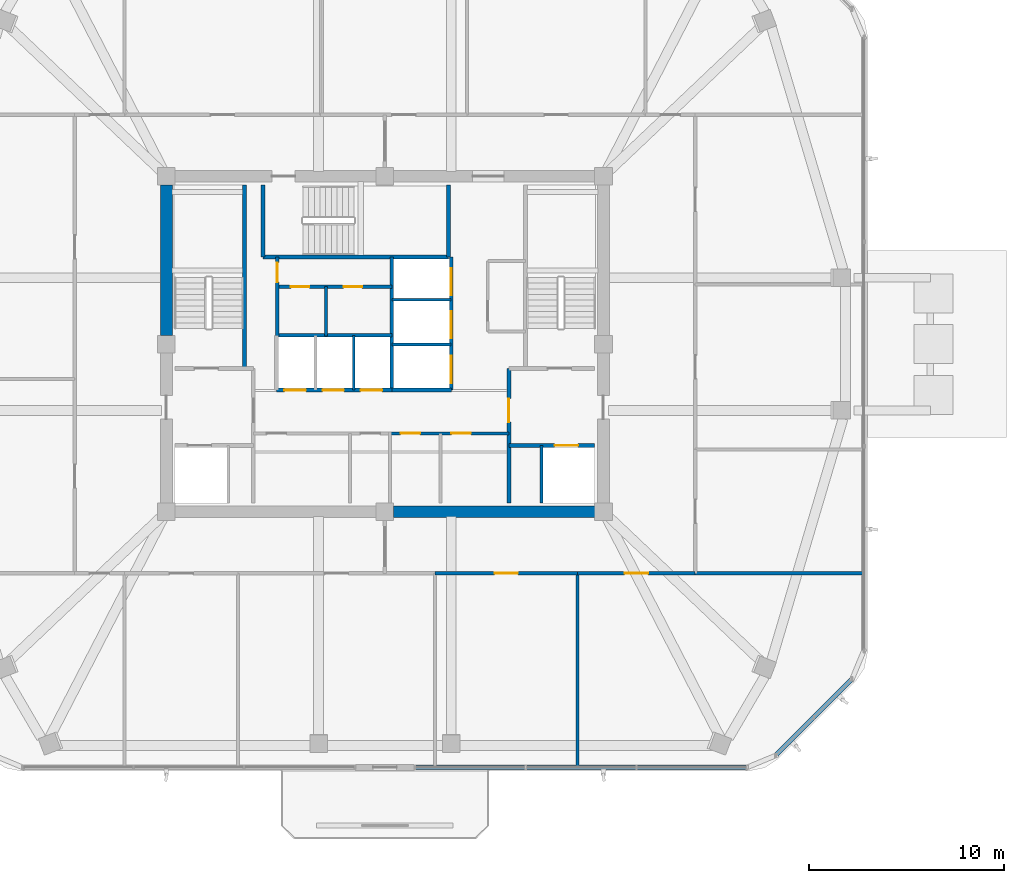
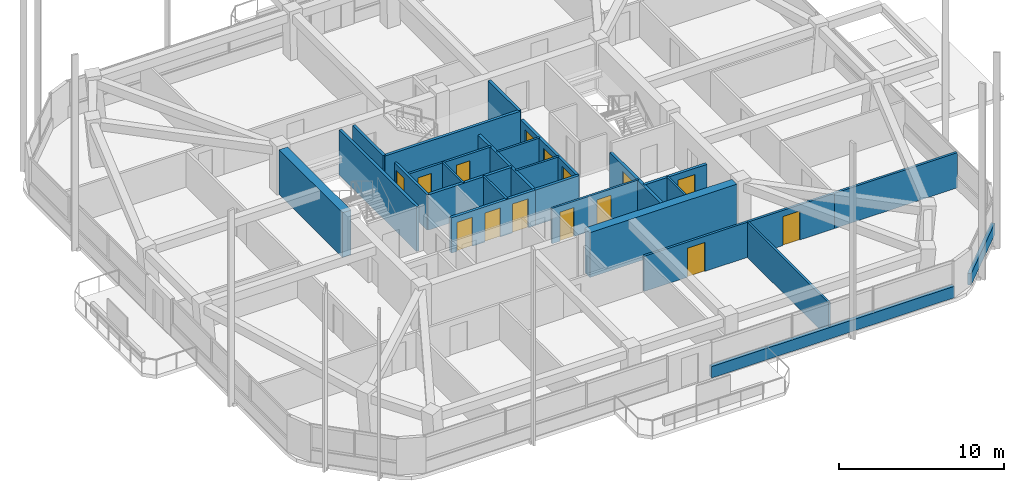
# One storey, part 8 of 14: 27 walls, 15 doors, 15 openings.
"""IFC4 building model written with IfcOpenShell, lengths in metres."""

from ifc_helpers import new_model, si_unit, derived_unit, direction, frame, frame_2d, origin, place, context, subcontext, project, spatial, rectangle, extrude, material, layer, layer_set, type_object, element, fill, save


model = new_model("IFC4")

# Units and contexts
model_context = context("Model", 3, precision=1e-05, world=origin(), true_north=direction((0.0, 1.0)))
body_context = subcontext(model_context, "Body", "Model", "MODEL_VIEW")
ifc_project = project(units=[si_unit("LENGTHUNIT", "METRE"), si_unit("AREAUNIT", "SQUARE_METRE"), si_unit("VOLUMEUNIT", "CUBIC_METRE"), si_unit("PLANEANGLEUNIT", "RADIAN"), si_unit("MASSUNIT", "GRAM", prefix="KILO"), derived_unit("THERMALTRANSMITTANCEUNIT", [(si_unit("POWERUNIT", "WATT"), 1), (si_unit("LENGTHUNIT", "METRE"), -2), (si_unit("THERMODYNAMICTEMPERATUREUNIT", "KELVIN"), -1)])], contexts=[model_context])

# Site, building, storey
site_placement = place(None, origin())
site = spatial("IfcSite", under=ifc_project, at=site_placement, CompositionType="ELEMENT")
building_placement = place(site_placement, origin())
building = spatial("IfcBuilding", under=site, at=building_placement, Name="Koralith Skygarden Medical Center", CompositionType="ELEMENT")
storey_placement = place(building_placement, frame((0.0, 0.0, 192.780029296875)))
storey = spatial("IfcBuildingStorey", under=building, at=storey_placement, Name="L49", CompositionType="ELEMENT", Elevation=192.780029296875)

# Wall, openings, doors
ifc_material_1 = material(Name="Gypsum Board Partition")
ifc_layer_1 = layer(ifc_material_1, 0.14990234375)
ifc_layer_set_1 = layer_set([ifc_layer_1], Name="Gypsum Board Partition")
wall_type_1 = type_object("IfcWallType", Name="Clinical Acoustic Partition 150", PredefinedType="PARTITIONING", material=ifc_layer_set_1)
wall_1_placement = place(storey_placement, frame((37.25, 21.320068359375, 0.0), z_axis=(0.0, 0.0, 1.0), x_axis=(1.0, 0.0, 0.0)))
wall_1 = element("IfcWall", 1, at=wall_1_placement, inside=storey, type_object=wall_type_1, Name="L49 Clinical Acoustic Partition 150 W-CORE-L49-FREED-MR-N", PredefinedType="PARTITIONING", context=body_context, shape_type="SweptSolid", body=[
    extrude(rectangle(XDim=6.10009765625, YDim=0.14990234375, at=frame_2d((3.050048828125, 0.0))), origin(), (0.0, 0.0, 1.0), 2.60986328125),
])
opening_1_placement = place(wall_1_placement, frame((0.550048828125, 0.0, 0.0)))
opening_1 = element("IfcOpeningElement", 2, at=opening_1_placement, cuts=wall_1, Name="Opening D-SUP", PredefinedType="OPENING", context=body_context, shape_type="SweptSolid", body=[
    extrude(rectangle(XDim=1.0, YDim=2.14990234375, at=frame_2d((0.5, 1.074951171875))), frame((0.0, 0.0849609375, 0.0), z_axis=(0.0, -1.0, 0.0), x_axis=(1.0, 0.0, 0.0)), (0.0, 0.0, 1.0), 0.169921875),
])
opening_2_placement = place(wall_1_placement, frame((3.14990234375, 0.0, 0.0)))
opening_2 = element("IfcOpeningElement", 3, at=opening_2_placement, cuts=wall_1, Name="Opening D-SUP", PredefinedType="OPENING", context=body_context, shape_type="SweptSolid", body=[
    extrude(rectangle(XDim=1.0, YDim=2.14990234375, at=frame_2d((0.5, 1.074951171875))), frame((0.0, 0.0849609375, 0.0), z_axis=(0.0, -1.0, 0.0), x_axis=(1.0, 0.0, 0.0)), (0.0, 0.0, 1.0), 0.169921875),
])
ifc_material_2 = material(Name="Aluminium 6063-T6", Category="aluminium")
door_type_1 = type_object("IfcDoorType", Name="Clinical Support Door D-SUP 1000", OperationType="NOTDEFINED", PredefinedType="DOOR", material=ifc_material_2)
door_1_placement = place(opening_1_placement, frame((1.0, 0.0, 0.0), z_axis=(0.0, 0.0, 1.0), x_axis=(-1.0, 0.0, 0.0)))
door_1 = element("IfcDoor", 4, at=door_1_placement, inside=storey, type_object=door_type_1, Name="L49 Satellite Pharmacy Door", OperationType="SINGLE_SWING_LEFT", OverallHeight=2.14990234375, OverallWidth=1.0, PredefinedType="DOOR", context=body_context, shape_type="SweptSolid", body=[
    extrude(rectangle(XDim=1.0, YDim=2.14990234375, at=frame_2d((0.5, 1.074951171875))), frame((0.0, 0.02490234375, 0.0), z_axis=(0.0, -1.0, 0.0), x_axis=(1.0, 0.0, 0.0)), (0.0, 0.0, 1.0), 0.050048828125),
])
fill(opening_1, door_1)
door_2_placement = place(opening_2_placement, frame((1.0, 0.0, 0.0), z_axis=(0.0, 0.0, 1.0), x_axis=(-1.0, 0.0, 0.0)))
door_2 = element("IfcDoor", 5, at=door_2_placement, inside=storey, type_object=door_type_1, Name="L49 Biomedical Equipment Door", OperationType="SINGLE_SWING_RIGHT", OverallHeight=2.14990234375, OverallWidth=1.0, PredefinedType="DOOR", context=body_context, shape_type="SweptSolid", body=[
    extrude(rectangle(XDim=1.0, YDim=2.14990234375, at=frame_2d((0.5, 1.074951171875))), frame((0.0, 0.02490234375, 0.0), z_axis=(0.0, -1.0, 0.0), x_axis=(1.0, 0.0, 0.0)), (0.0, 0.0, 1.0), 0.050048828125),
])
fill(opening_2, door_2)

# Walls
wall_2_placement = place(storey_placement, frame((33.97998046875, 26.320068359375, 0.0), z_axis=(0.0, 0.0, 1.0), x_axis=(0.0, 1.0, 0.0)))
element("IfcWall", 6, at=wall_2_placement, inside=storey, type_object=wall_type_1, Name="L49 Clinical Acoustic Partition 150 W-CORE-L49-FLEX-V3A", PredefinedType="PARTITIONING", context=body_context, shape_type="SweptSolid", body=[
    extrude(rectangle(XDim=2.52001953125, YDim=0.14990234375, at=frame_2d((1.260009765625, 0.0))), origin(), (0.0, 0.0, 1.0), 2.60986328125),
])
wall_3_placement = place(storey_placement, frame((46.8720703125, 14.14990234375, 0.0), z_axis=(0.0, 0.0, 1.0), x_axis=(0.0, -1.0, 0.0)))
element("IfcWall", 7, at=wall_3_placement, inside=storey, type_object=wall_type_1, Name="L49 Clinical Acoustic Partition 150 W-PART-L49-S-04", PredefinedType="PARTITIONING", context=body_context, shape_type="SweptSolid", body=[
    extrude(rectangle(XDim=9.9248046875, YDim=0.14990234375, at=frame_2d((4.96240234375, 0.0))), origin(), (0.0, 0.0, 1.0), 2.60986328125),
])
ifc_layer_2 = layer(ifc_material_1, 0.1650390625)
ifc_layer_set_2 = layer_set([ifc_layer_2], Name="Gypsum Board Partition")
wall_type_2 = type_object("IfcWallType", Name="Clinical Corridor Partition 165", PredefinedType="PARTITIONING", material=ifc_layer_set_2)
wall_4_placement = place(storey_placement, frame((52.89990234375, 14.14990234375, 0.0), z_axis=(0.0, 0.0, 1.0), x_axis=(1.0, 0.0, 0.0)))
element("IfcWall", 8, at=wall_4_placement, inside=storey, type_object=wall_type_2, Name="L49 Clinical Corridor Partition 165 W-WB-L49-SE", PredefinedType="PARTITIONING", context=body_context, shape_type="SweptSolid", body=[
    extrude(rectangle(XDim=8.623046875, YDim=0.1650390625, at=frame_2d((4.3115234375, 0.0))), origin(), (0.0, 0.0, 1.0), 2.60986328125),
])

# Wall, opening, door
wall_5_placement = place(storey_placement, frame((39.56689453125, 14.14990234375, 0.0), z_axis=(0.0, 0.0, 1.0), x_axis=(1.0, 0.0, 0.0)))
wall_5 = element("IfcWall", 9, at=wall_5_placement, inside=storey, type_object=wall_type_2, Name="L49 Clinical Corridor Partition 165 W-CORR-L49-S-04", PredefinedType="PARTITIONING", context=body_context, shape_type="SweptSolid", body=[
    extrude(rectangle(XDim=7.30517578125, YDim=0.1650390625, at=frame_2d((3.652587890625, 0.0))), origin(), (0.0, 0.0, 1.0), 2.60986328125),
])
opening_3_placement = place(wall_5_placement, frame((3.052001953125, 0.0, 0.0)))
opening_3 = element("IfcOpeningElement", 10, at=opening_3_placement, cuts=wall_5, Name="Opening D-CLN", PredefinedType="OPENING", context=body_context, shape_type="SweptSolid", body=[
    extrude(rectangle(XDim=1.199951171875, YDim=2.14990234375, at=frame_2d((0.60009765625, 1.074951171875))), frame((0.0, 0.092529296875, 0.0), z_axis=(0.0, -1.0, 0.0), x_axis=(1.0, 0.0, 0.0)), (0.0, 0.0, 1.0), 0.18505859375),
])
door_type_2 = type_object("IfcDoorType", Name="Clinical Corridor Door D-CLN 1200", OperationType="NOTDEFINED", PredefinedType="DOOR", material=ifc_material_2)
door_3_placement = place(opening_3_placement, frame((1.199951171875, 0.0, 0.0), z_axis=(0.0, 0.0, 1.0), x_axis=(-1.0, 0.0, 0.0)))
door_3 = element("IfcDoor", 11, at=door_3_placement, inside=storey, type_object=door_type_2, Name="L49 Metabolic Health Classroom 09 Door", OperationType="SINGLE_SWING_RIGHT", OverallHeight=2.14990234375, OverallWidth=1.199951171875, PredefinedType="DOOR", context=body_context, shape_type="SweptSolid", body=[
    extrude(rectangle(XDim=1.199951171875, YDim=2.14990234375, at=frame_2d((0.60009765625, 1.074951171875))), frame((0.0, 0.02490234375, 0.0), z_axis=(0.0, -1.0, 0.0), x_axis=(1.0, 0.0, 0.0)), (0.0, 0.0, 1.0), 0.050048828125),
])
fill(opening_3, door_3)

wall_6_placement = place(storey_placement, frame((46.8720703125, 14.14990234375, 0.0), z_axis=(0.0, 0.0, 1.0), x_axis=(1.0, 0.0, 0.0)))
wall_6 = element("IfcWall", 12, at=wall_6_placement, inside=storey, type_object=wall_type_2, Name="L49 Clinical Corridor Partition 165 W-CORR-L49-S-05", PredefinedType="PARTITIONING", context=body_context, shape_type="SweptSolid", body=[
    extrude(rectangle(XDim=6.02783203125, YDim=0.1650390625, at=frame_2d((3.013916015625, 0.0))), origin(), (0.0, 0.0, 1.0), 2.60986328125),
])
opening_4_placement = place(wall_6_placement, frame((2.4140625, 0.0, 0.0)))
opening_4 = element("IfcOpeningElement", 13, at=opening_4_placement, cuts=wall_6, Name="Opening D-CLN", PredefinedType="OPENING", context=body_context, shape_type="SweptSolid", body=[
    extrude(rectangle(XDim=1.199951171875, YDim=2.14990234375, at=frame_2d((0.60009765625, 1.074951171875))), frame((0.0, 0.092529296875, 0.0), z_axis=(0.0, -1.0, 0.0), x_axis=(1.0, 0.0, 0.0)), (0.0, 0.0, 1.0), 0.18505859375),
])
door_4_placement = place(opening_4_placement, frame((1.199951171875, 0.0, 0.0), z_axis=(0.0, 0.0, 1.0), x_axis=(-1.0, 0.0, 0.0)))
door_4 = element("IfcDoor", 14, at=door_4_placement, inside=storey, type_object=door_type_2, Name="L49 Outpatient Education Lounge 10 Door", OperationType="SINGLE_SWING_LEFT", OverallHeight=2.14990234375, OverallWidth=1.199951171875, PredefinedType="DOOR", context=body_context, shape_type="SweptSolid", body=[
    extrude(rectangle(XDim=1.199951171875, YDim=2.14990234375, at=frame_2d((0.60009765625, 1.074951171875))), frame((0.0, 0.02490234375, 0.0), z_axis=(0.0, -1.0, 0.0), x_axis=(1.0, 0.0, 0.0)), (0.0, 0.0, 1.0), 0.050048828125),
])
fill(opening_4, door_4)

ifc_layer_3 = layer(ifc_material_1, 0.199951171875)
ifc_layer_set_3 = layer_set([ifc_layer_3], Name="Gypsum Board Partition")
wall_type_3 = type_object("IfcWallType", Name="Fire Shaft Wall 200", PredefinedType="SOLIDWALL", material=ifc_layer_set_3)
wall_7_placement = place(storey_placement, frame((43.35009765625, 20.699951171875, 0.0), z_axis=(0.0, 0.0, 1.0), x_axis=(1.0, 0.0, 0.0)))
wall_7 = element("IfcWall", 15, at=wall_7_placement, inside=storey, type_object=wall_type_3, Name="L49 Fire Shaft Wall 200 W-CORE-L49-FF2-N", PredefinedType="SOLIDWALL", context=body_context, shape_type="SweptSolid", body=[
    extrude(rectangle(XDim=4.39990234375, YDim=0.199951171875, at=frame_2d((2.199951171875, 0.0))), origin(), (0.0, 0.0, 1.0), 2.60986328125),
])
opening_5_placement = place(wall_7_placement, frame((2.35009765625, 0.0, 0.0)))
opening_5 = element("IfcOpeningElement", 16, at=opening_5_placement, cuts=wall_7, Name="Opening LD-FF", PredefinedType="OPENING", context=body_context, shape_type="SweptSolid", body=[
    extrude(rectangle(XDim=1.199951171875, YDim=2.14990234375, at=frame_2d((0.60009765625, 1.074951171875))), frame((0.0, 0.10986328125, 0.0), z_axis=(0.0, -1.0, 0.0), x_axis=(1.0, 0.0, 0.0)), (0.0, 0.0, 1.0), 0.219970703125),
])
ifc_material_3 = material(Name="Steel ASTM A500 Grade C", Category="steel")
door_type_3 = type_object("IfcDoorType", Name="Fire Lift Sliding Landing Door LD-FF 1200", OperationType="NOTDEFINED", PredefinedType="DOOR", material=ifc_material_3)
door_5_placement = place(opening_5_placement, origin())
door_5 = element("IfcDoor", 17, at=door_5_placement, inside=storey, type_object=door_type_3, Name="L49 Fire Service Elevator FF2 Landing Door", OperationType="SLIDING_TO_RIGHT", OverallHeight=2.14990234375, OverallWidth=1.199951171875, PredefinedType="DOOR", context=body_context, shape_type="SweptSolid", body=[
    extrude(rectangle(XDim=1.199951171875, YDim=2.14990234375, at=frame_2d((0.60009765625, 1.074951171875))), frame((0.0, 0.02490234375, 0.0), z_axis=(0.0, -1.0, 0.0), x_axis=(1.0, 0.0, 0.0)), (0.0, 0.0, 1.0), 0.050048828125),
])
fill(opening_5, door_5)

wall_8_placement = place(storey_placement, frame((43.35009765625, 17.75, 0.0), z_axis=(0.0, 0.0, 1.0), x_axis=(0.0, 1.0, 0.0)))
wall_8 = element("IfcWall", 18, at=wall_8_placement, inside=storey, type_object=wall_type_3, Name="L49 Fire Shaft Wall 200 W-CORE-L49-FSAEE-W", PredefinedType="SOLIDWALL", context=body_context, shape_type="SweptSolid", body=[
    extrude(rectangle(XDim=6.89990234375, YDim=0.199951171875, at=frame_2d((3.449951171875, 0.0))), origin(), (0.0, 0.0, 1.0), 2.60986328125),
])
opening_6_placement = place(wall_8_placement, frame((4.14990234375, 0.0, 0.0)))
opening_6 = element("IfcOpeningElement", 19, at=opening_6_placement, cuts=wall_8, Name="Opening D-ST60", PredefinedType="OPENING", context=body_context, shape_type="SweptSolid", body=[
    extrude(rectangle(XDim=1.199951171875, YDim=2.14990234375, at=frame_2d((0.60009765625, 1.074951171875))), frame((0.0, 0.10986328125, 0.0), z_axis=(0.0, -1.0, 0.0), x_axis=(1.0, 0.0, 0.0)), (0.0, 0.0, 1.0), 0.219970703125),
])
door_type_4 = type_object("IfcDoorType", Name="Smokeproof Stair Fire Door FD60S 1200", OperationType="NOTDEFINED", PredefinedType="DOOR", material=ifc_material_3)
door_6_placement = place(opening_6_placement, frame((1.199951171875, 0.0, 0.0), z_axis=(0.0, 0.0, 1.0), x_axis=(-1.0, 0.0, 0.0)))
door_6 = element("IfcDoor", 20, at=door_6_placement, inside=storey, type_object=door_type_4, Name="L49 East Firefighting Lobby Inner Fire Door", OperationType="SINGLE_SWING_RIGHT", OverallHeight=2.14990234375, OverallWidth=1.199951171875, PredefinedType="DOOR", context=body_context, shape_type="SweptSolid", body=[
    extrude(rectangle(XDim=1.199951171875, YDim=2.14990234375, at=frame_2d((0.60009765625, 1.074951171875))), frame((0.0, 0.02490234375, 0.0), z_axis=(0.0, -1.0, 0.0), x_axis=(1.0, 0.0, 0.0)), (0.0, 0.0, 1.0), 0.050048828125),
])
fill(opening_6, door_6)

# Wall, openings, doors
wall_9_placement = place(storey_placement, frame((31.449951171875, 23.5400390625, 0.0), z_axis=(0.0, 0.0, 1.0), x_axis=(1.0, 0.0, 0.0)))
wall_9 = element("IfcWall", 21, at=wall_9_placement, inside=storey, type_object=wall_type_3, Name="L49 Fire Shaft Wall 200 W-CORE-L49-PH-S", PredefinedType="SOLIDWALL", context=body_context, shape_type="SweptSolid", body=[
    extrude(rectangle(XDim=5.900146484375, YDim=0.199951171875, at=frame_2d((2.9501953125, 0.0))), origin(), (0.0, 0.0, 1.0), 2.60986328125),
])
opening_7_placement = place(wall_9_placement, frame((0.39990234375, 0.0, 0.0)))
opening_7 = element("IfcOpeningElement", 22, at=opening_7_placement, cuts=wall_9, Name="Opening LD-P", PredefinedType="OPENING", context=body_context, shape_type="SweptSolid", body=[
    extrude(rectangle(XDim=1.10009765625, YDim=2.14990234375, at=frame_2d((0.550048828125, 1.074951171875))), frame((0.0, 0.10986328125, 0.0), z_axis=(0.0, -1.0, 0.0), x_axis=(1.0, 0.0, 0.0)), (0.0, 0.0, 1.0), 0.219970703125),
])
opening_8_placement = place(wall_9_placement, frame((2.35009765625, 0.0, 0.0)))
opening_8 = element("IfcOpeningElement", 23, at=opening_8_placement, cuts=wall_9, Name="Opening LD-P", PredefinedType="OPENING", context=body_context, shape_type="SweptSolid", body=[
    extrude(rectangle(XDim=1.10009765625, YDim=2.14990234375, at=frame_2d((0.550048828125, 1.074951171875))), frame((0.0, 0.10986328125, 0.0), z_axis=(0.0, -1.0, 0.0), x_axis=(1.0, 0.0, 0.0)), (0.0, 0.0, 1.0), 0.219970703125),
])
opening_9_placement = place(wall_9_placement, frame((4.300048828125, 0.0, 0.0)))
opening_9 = element("IfcOpeningElement", 24, at=opening_9_placement, cuts=wall_9, Name="Opening LD-P", PredefinedType="OPENING", context=body_context, shape_type="SweptSolid", body=[
    extrude(rectangle(XDim=1.10009765625, YDim=2.14990234375, at=frame_2d((0.550048828125, 1.074951171875))), frame((0.0, 0.10986328125, 0.0), z_axis=(0.0, -1.0, 0.0), x_axis=(1.0, 0.0, 0.0)), (0.0, 0.0, 1.0), 0.219970703125),
])
door_type_5 = type_object("IfcDoorType", Name="Passenger Lift Sliding Landing Door LD-P 1100", OperationType="NOTDEFINED", PredefinedType="DOOR", material=ifc_material_3)
door_7_placement = place(opening_7_placement, origin())
door_7 = element("IfcDoor", 25, at=door_7_placement, inside=storey, type_object=door_type_5, Name="L49 Passenger Elevator PH1 Landing Door", OperationType="SLIDING_TO_RIGHT", OverallHeight=2.14990234375, OverallWidth=1.10009765625, PredefinedType="DOOR", context=body_context, shape_type="SweptSolid", body=[
    extrude(rectangle(XDim=1.10009765625, YDim=2.14990234375, at=frame_2d((0.550048828125, 1.074951171875))), frame((0.0, 0.02490234375, 0.0), z_axis=(0.0, -1.0, 0.0), x_axis=(1.0, 0.0, 0.0)), (0.0, 0.0, 1.0), 0.050048828125),
])
fill(opening_7, door_7)
door_8_placement = place(opening_8_placement, origin())
door_8 = element("IfcDoor", 26, at=door_8_placement, inside=storey, type_object=door_type_5, Name="L49 Passenger Elevator PH2 Landing Door", OperationType="SLIDING_TO_RIGHT", OverallHeight=2.14990234375, OverallWidth=1.10009765625, PredefinedType="DOOR", context=body_context, shape_type="SweptSolid", body=[
    extrude(rectangle(XDim=1.10009765625, YDim=2.14990234375, at=frame_2d((0.550048828125, 1.074951171875))), frame((0.0, 0.02490234375, 0.0), z_axis=(0.0, -1.0, 0.0), x_axis=(1.0, 0.0, 0.0)), (0.0, 0.0, 1.0), 0.050048828125),
])
fill(opening_8, door_8)
door_9_placement = place(opening_9_placement, origin())
door_9 = element("IfcDoor", 27, at=door_9_placement, inside=storey, type_object=door_type_5, Name="L49 Passenger Elevator PH3 Landing Door", OperationType="SLIDING_TO_RIGHT", OverallHeight=2.14990234375, OverallWidth=1.10009765625, PredefinedType="DOOR", context=body_context, shape_type="SweptSolid", body=[
    extrude(rectangle(XDim=1.10009765625, YDim=2.14990234375, at=frame_2d((0.550048828125, 1.074951171875))), frame((0.0, 0.02490234375, 0.0), z_axis=(0.0, -1.0, 0.0), x_axis=(1.0, 0.0, 0.0)), (0.0, 0.0, 1.0), 0.050048828125),
])
fill(opening_9, door_9)

# Walls
wall_10_placement = place(storey_placement, frame((31.449951171875, 26.35009765625, 0.0), z_axis=(0.0, 0.0, 1.0), x_axis=(1.0, 0.0, 0.0)))
element("IfcWall", 28, at=wall_10_placement, inside=storey, type_object=wall_type_3, Name="L49 Fire Shaft Wall 200 W-CORE-L49-PH-N", PredefinedType="SOLIDWALL", context=body_context, shape_type="SweptSolid", body=[
    extrude(rectangle(XDim=5.900146484375, YDim=0.199951171875, at=frame_2d((2.9501953125, 0.0))), origin(), (0.0, 0.0, 1.0), 2.60986328125),
])
wall_11_placement = place(storey_placement, frame((37.35009765625, 23.5400390625, 0.0), z_axis=(0.0, 0.0, 1.0), x_axis=(0.0, 1.0, 0.0)))
element("IfcWall", 29, at=wall_11_placement, inside=storey, type_object=wall_type_3, Name="L49 Fire Shaft Wall 200 W-CORE-L49-SV-W", PredefinedType="SOLIDWALL", context=body_context, shape_type="SweptSolid", body=[
    extrude(rectangle(XDim=6.820068359375, YDim=0.199951171875, at=frame_2d((3.41015625, 0.0))), origin(), (0.0, 0.0, 1.0), 2.60986328125),
])
wall_12_placement = place(storey_placement, frame((37.35009765625, 23.5400390625, 0.0), z_axis=(0.0, 0.0, 1.0), x_axis=(1.0, 0.0, 0.0)))
element("IfcWall", 30, at=wall_12_placement, inside=storey, type_object=wall_type_3, Name="L49 Fire Shaft Wall 200 W-CORE-L49-SV-S", PredefinedType="SOLIDWALL", context=body_context, shape_type="SweptSolid", body=[
    extrude(rectangle(XDim=3.0498046875, YDim=0.199951171875, at=frame_2d((1.52490234375, 0.0))), origin(), (0.0, 0.0, 1.0), 2.60986328125),
])

# Wall, openings, doors
wall_13_placement = place(storey_placement, frame((40.39990234375, 23.5400390625, 0.0), z_axis=(0.0, 0.0, 1.0), x_axis=(0.0, 1.0, 0.0)))
wall_13 = element("IfcWall", 31, at=wall_13_placement, inside=storey, type_object=wall_type_3, Name="L49 Fire Shaft Wall 200 W-CORE-L49-SV-E", PredefinedType="SOLIDWALL", context=body_context, shape_type="SweptSolid", body=[
    extrude(rectangle(XDim=6.820068359375, YDim=0.199951171875, at=frame_2d((3.41015625, 0.0))), origin(), (0.0, 0.0, 1.0), 2.60986328125),
])
opening_10_placement = place(wall_13_placement, frame((0.35009765625, 0.0, 0.0)))
opening_10 = element("IfcOpeningElement", 32, at=opening_10_placement, cuts=wall_13, Name="Opening LD-SV", PredefinedType="OPENING", context=body_context, shape_type="SweptSolid", body=[
    extrude(rectangle(XDim=1.39990234375, YDim=2.199951171875, at=frame_2d((0.699951171875, 1.10009765625))), frame((0.0, 0.10986328125, 0.0), z_axis=(0.0, -1.0, 0.0), x_axis=(1.0, 0.0, 0.0)), (0.0, 0.0, 1.0), 0.219970703125),
])
opening_11_placement = place(wall_13_placement, frame((2.64990234375, 0.0, 0.0)))
opening_11 = element("IfcOpeningElement", 33, at=opening_11_placement, cuts=wall_13, Name="Opening LD-SV", PredefinedType="OPENING", context=body_context, shape_type="SweptSolid", body=[
    extrude(rectangle(XDim=1.39990234375, YDim=2.199951171875, at=frame_2d((0.699951171875, 1.10009765625))), frame((0.0, 0.10986328125, 0.0), z_axis=(0.0, -1.0, 0.0), x_axis=(1.0, 0.0, 0.0)), (0.0, 0.0, 1.0), 0.219970703125),
])
opening_12_placement = place(wall_13_placement, frame((4.85009765625, 0.0, 0.0)))
opening_12 = element("IfcOpeningElement", 34, at=opening_12_placement, cuts=wall_13, Name="Opening LD-SV", PredefinedType="OPENING", context=body_context, shape_type="SweptSolid", body=[
    extrude(rectangle(XDim=1.39990234375, YDim=2.199951171875, at=frame_2d((0.699951171875, 1.10009765625))), frame((0.0, 0.10986328125, 0.0), z_axis=(0.0, -1.0, 0.0), x_axis=(1.0, 0.0, 0.0)), (0.0, 0.0, 1.0), 0.219970703125),
])
door_type_6 = type_object("IfcDoorType", Name="Bed Lift Sliding Landing Door LD-SV 1400", OperationType="NOTDEFINED", PredefinedType="DOOR", material=ifc_material_3)
door_10_placement = place(opening_10_placement, origin())
door_10 = element("IfcDoor", 35, at=door_10_placement, inside=storey, type_object=door_type_6, Name="L49 Bed Elevator BD1 Landing Door", OperationType="SLIDING_TO_LEFT", OverallHeight=2.199951171875, OverallWidth=1.39990234375, PredefinedType="DOOR", context=body_context, shape_type="SweptSolid", body=[
    extrude(rectangle(XDim=1.39990234375, YDim=2.199951171875, at=frame_2d((0.699951171875, 1.10009765625))), frame((0.0, 0.02490234375, 0.0), z_axis=(0.0, -1.0, 0.0), x_axis=(1.0, 0.0, 0.0)), (0.0, 0.0, 1.0), 0.050048828125),
])
fill(opening_10, door_10)
door_11_placement = place(opening_11_placement, origin())
door_11 = element("IfcDoor", 36, at=door_11_placement, inside=storey, type_object=door_type_6, Name="L49 Service Elevator BD2 Landing Door", OperationType="SLIDING_TO_LEFT", OverallHeight=2.199951171875, OverallWidth=1.39990234375, PredefinedType="DOOR", context=body_context, shape_type="SweptSolid", body=[
    extrude(rectangle(XDim=1.39990234375, YDim=2.199951171875, at=frame_2d((0.699951171875, 1.10009765625))), frame((0.0, 0.02490234375, 0.0), z_axis=(0.0, -1.0, 0.0), x_axis=(1.0, 0.0, 0.0)), (0.0, 0.0, 1.0), 0.050048828125),
])
fill(opening_11, door_11)
door_12_placement = place(opening_12_placement, origin())
door_12 = element("IfcDoor", 37, at=door_12_placement, inside=storey, type_object=door_type_6, Name="L49 Trauma Elevator TR1 Landing Door", OperationType="SLIDING_TO_RIGHT", OverallHeight=2.199951171875, OverallWidth=1.39990234375, PredefinedType="DOOR", context=body_context, shape_type="SweptSolid", body=[
    extrude(rectangle(XDim=1.39990234375, YDim=2.199951171875, at=frame_2d((0.699951171875, 1.10009765625))), frame((0.0, 0.02490234375, 0.0), z_axis=(0.0, -1.0, 0.0), x_axis=(1.0, 0.0, 0.0)), (0.0, 0.0, 1.0), 0.050048828125),
])
fill(opening_12, door_12)

# Walls
ifc_material_4 = material(Name="Warm Oolitic Limestone Cladding", Category="masonry")
ifc_layer_4 = layer(ifc_material_4, 0.239990234375)
ifc_layer_set_4 = layer_set([ifc_layer_4], Name="Warm Oolitic Limestone Cladding")
wall_type_4 = type_object("IfcWallType", Name="Limestone Spandrel Sill Backup Wall 240", PredefinedType="SOLIDWALL", material=ifc_layer_set_4)
wall_14_placement = place(storey_placement, frame((38.5400390625, 4.205078125, 0.0), z_axis=(0.0, 0.0, 1.0), x_axis=(1.0, 0.0, 0.0)))
element("IfcWall", 38, at=wall_14_placement, inside=storey, type_object=wall_type_4, Name="L49 Sill Spandrel S-R", PredefinedType="SOLIDWALL", context=body_context, shape_type="SweptSolid", body=[
    extrude(rectangle(XDim=17.028076171875, YDim=0.239990234375, at=frame_2d((8.51416015625, 0.0))), origin(), (0.0, 0.0, 1.0), 0.849853515625),
])
wall_15_placement = place(storey_placement, frame((57.01904296875, 4.806884765625, 0.0), z_axis=(0.0, 0.0, 1.0), x_axis=(0.707084777957, 0.707128783731, 0.0)))
element("IfcWall", 39, at=wall_15_placement, inside=storey, type_object=wall_type_4, Name="L49 Sill Spandrel SE", PredefinedType="SOLIDWALL", context=body_context, shape_type="SweptSolid", body=[
    extrude(rectangle(XDim=5.5478515625, YDim=0.239990234375, at=frame_2d((2.77392578125, 0.0))), origin(), (0.0, 0.0, 1.0), 0.849853515625),
])

# Wall, opening, door
ifc_layer_5 = layer(ifc_material_1, 0.1650390625)
ifc_layer_set_5 = layer_set([ifc_layer_5], Name="Gypsum Board Partition")
wall_type_5 = type_object("IfcWallType", Name="Plumbing Wet Wall 165", PredefinedType="PLUMBINGWALL", material=ifc_layer_set_5)
wall_16_placement = place(storey_placement, frame((31.47998046875, 26.320068359375, 0.0), z_axis=(0.0, 0.0, 1.0), x_axis=(0.0, 1.0, 0.0)))
wall_16 = element("IfcWall", 40, at=wall_16_placement, inside=storey, type_object=wall_type_5, Name="L49 Plumbing Wet Wall 165 W-CORE-L49-FLEX-W", PredefinedType="PLUMBINGWALL", context=body_context, shape_type="SweptSolid", body=[
    extrude(rectangle(XDim=4.0400390625, YDim=0.1650390625, at=frame_2d((2.02001953125, 0.0))), origin(), (0.0, 0.0, 1.0), 2.60986328125),
])
opening_13_placement = place(wall_16_placement, frame((2.75, 0.0, 0.0)))
opening_13 = element("IfcOpeningElement", 41, at=opening_13_placement, cuts=wall_16, Name="Opening D-SUP", PredefinedType="OPENING", context=body_context, shape_type="SweptSolid", body=[
    extrude(rectangle(XDim=1.0, YDim=2.14990234375, at=frame_2d((0.5, 1.074951171875))), frame((0.0, 0.092529296875, 0.0), z_axis=(0.0, -1.0, 0.0), x_axis=(1.0, 0.0, 0.0)), (0.0, 0.0, 1.0), 0.18505859375),
])
door_13_placement = place(opening_13_placement, frame((1.0, 0.0, 0.0), z_axis=(0.0, 0.0, 1.0), x_axis=(-1.0, 0.0, 0.0)))
door_13 = element("IfcDoor", 42, at=door_13_placement, inside=storey, type_object=door_type_1, Name="L49 Core Utility Alcove Door", OperationType="SINGLE_SWING_RIGHT", OverallHeight=2.14990234375, OverallWidth=1.0, PredefinedType="DOOR", context=body_context, shape_type="SweptSolid", body=[
    extrude(rectangle(XDim=1.0, YDim=2.14990234375, at=frame_2d((0.5, 1.074951171875))), frame((0.0, 0.02490234375, 0.0), z_axis=(0.0, -1.0, 0.0), x_axis=(1.0, 0.0, 0.0)), (0.0, 0.0, 1.0), 0.050048828125),
])
fill(opening_13, door_13)

# Wall, openings, doors
wall_17_placement = place(storey_placement, frame((31.47998046875, 28.840087890625, 0.0), z_axis=(0.0, 0.0, 1.0), x_axis=(1.0, 0.0, 0.0)))
wall_17 = element("IfcWall", 43, at=wall_17_placement, inside=storey, type_object=wall_type_5, Name="L49 Plumbing Wet Wall 165 W-CORE-L49-FLEX-H3", PredefinedType="PLUMBINGWALL", context=body_context, shape_type="SweptSolid", body=[
    extrude(rectangle(XDim=5.8701171875, YDim=0.1650390625, at=frame_2d((2.93505859375, 0.0))), origin(), (0.0, 0.0, 1.0), 2.60986328125),
])
opening_14_placement = place(wall_17_placement, frame((0.699951171875, 0.0, 0.0)))
opening_14 = element("IfcOpeningElement", 44, at=opening_14_placement, cuts=wall_17, Name="Opening D-WC", PredefinedType="OPENING", context=body_context, shape_type="SweptSolid", body=[
    extrude(rectangle(XDim=0.949951171875, YDim=2.10009765625, at=frame_2d((0.47509765625, 1.050048828125))), frame((0.0, 0.092529296875, 0.0), z_axis=(0.0, -1.0, 0.0), x_axis=(1.0, 0.0, 0.0)), (0.0, 0.0, 1.0), 0.18505859375),
])
opening_15_placement = place(wall_17_placement, frame((3.39990234375, 0.0, 0.0)))
opening_15 = element("IfcOpeningElement", 45, at=opening_15_placement, cuts=wall_17, Name="Opening D-WC", PredefinedType="OPENING", context=body_context, shape_type="SweptSolid", body=[
    extrude(rectangle(XDim=0.949951171875, YDim=2.10009765625, at=frame_2d((0.47509765625, 1.050048828125))), frame((0.0, 0.092529296875, 0.0), z_axis=(0.0, -1.0, 0.0), x_axis=(1.0, 0.0, 0.0)), (0.0, 0.0, 1.0), 0.18505859375),
])
door_type_7 = type_object("IfcDoorType", Name="Accessible Toilet Door D-WC 950", OperationType="NOTDEFINED", PredefinedType="DOOR", material=ifc_material_2)
door_14_placement = place(opening_14_placement, frame((0.949951171875, 0.0, 0.0), z_axis=(0.0, 0.0, 1.0), x_axis=(-1.0, 0.0, 0.0)))
door_14 = element("IfcDoor", 46, at=door_14_placement, inside=storey, type_object=door_type_7, Name="L49 Core Accessible WC Door", OperationType="SINGLE_SWING_LEFT", OverallHeight=2.10009765625, OverallWidth=0.949951171875, PredefinedType="DOOR", context=body_context, shape_type="SweptSolid", body=[
    extrude(rectangle(XDim=0.949951171875, YDim=2.10009765625, at=frame_2d((0.47509765625, 1.050048828125))), frame((0.0, 0.02490234375, 0.0), z_axis=(0.0, -1.0, 0.0), x_axis=(1.0, 0.0, 0.0)), (0.0, 0.0, 1.0), 0.050048828125),
])
fill(opening_14, door_14)
door_15_placement = place(opening_15_placement, frame((0.949951171875, 0.0, 0.0), z_axis=(0.0, 0.0, 1.0), x_axis=(-1.0, 0.0, 0.0)))
door_15 = element("IfcDoor", 47, at=door_15_placement, inside=storey, type_object=door_type_7, Name="L49 Housekeeping Store Door", OperationType="SINGLE_SWING_RIGHT", OverallHeight=2.10009765625, OverallWidth=0.949951171875, PredefinedType="DOOR", context=body_context, shape_type="SweptSolid", body=[
    extrude(rectangle(XDim=0.949951171875, YDim=2.10009765625, at=frame_2d((0.47509765625, 1.050048828125))), frame((0.0, 0.02490234375, 0.0), z_axis=(0.0, -1.0, 0.0), x_axis=(1.0, 0.0, 0.0)), (0.0, 0.0, 1.0), 0.050048828125),
])
fill(opening_15, door_15)

# Walls
ifc_layer_6 = layer(ifc_material_1, 0.14990234375)
ifc_layer_set_6 = layer_set([ifc_layer_6], Name="Gypsum Board Partition")
wall_type_6 = type_object("IfcWallType", Name="Shaft Partition Wall 150", PredefinedType="PARTITIONING", material=ifc_layer_set_6)
wall_18_placement = place(storey_placement, frame((45.02001953125, 17.75, 0.0), z_axis=(0.0, 0.0, 1.0), x_axis=(0.0, 1.0, 0.0)))
element("IfcWall", 48, at=wall_18_placement, inside=storey, type_object=wall_type_6, Name="L49 Shaft Partition Wall 150 W-CORE-L49-RSRE-DIV", PredefinedType="PARTITIONING", context=body_context, shape_type="SweptSolid", body=[
    extrude(rectangle(XDim=2.949951171875, YDim=0.14990234375, at=frame_2d((1.47509765625, 0.0))), origin(), (0.0, 0.0, 1.0), 2.60986328125),
])
wall_19_placement = place(storey_placement, frame((35.39990234375, 23.5400390625, 0.0), z_axis=(0.0, 0.0, 1.0), x_axis=(0.0, 1.0, 0.0)))
element("IfcWall", 49, at=wall_19_placement, inside=storey, type_object=wall_type_6, Name="L49 Shaft Partition Wall 150 W-CORE-L49-PH-D2", PredefinedType="PARTITIONING", context=body_context, shape_type="SweptSolid", body=[
    extrude(rectangle(XDim=2.81005859375, YDim=0.14990234375, at=frame_2d((1.405029296875, 0.0))), origin(), (0.0, 0.0, 1.0), 2.60986328125),
])
for number, where, z_axis, x_axis, name in (
    (50, (37.3701171875, 25.8701171875, 0.0), (0.0, 0.0, 1.0), (1.0, 0.0, 0.0), "L49 Shaft Partition Wall 150 W-CORE-L49-SV-D1"),
    (51, (37.3701171875, 28.169921875, 0.0), (0.0, 0.0, 1.0), (1.0, 0.0, 0.0), "L49 Shaft Partition Wall 150 W-CORE-L49-SV-D2"),
):
    element("IfcWall", number, at=place(storey_placement, frame(where, z_axis=z_axis, x_axis=x_axis)), inside=storey, type_object=wall_type_6, Name=name, PredefinedType="PARTITIONING", context=body_context, shape_type="SweptSolid", body=[
        extrude(rectangle(XDim=3.009765625, YDim=0.14990234375, at=frame_2d((1.5048828125, 0.0))), origin(), (0.0, 0.0, 1.0), 2.60986328125),
    ])
ifc_material_5 = material(Name="Concrete C45/55", Category="concrete")
ifc_layer_7 = layer(ifc_material_5, 0.199951171875)
ifc_layer_set_7 = layer_set([ifc_layer_7], Name="Concrete C45/55")
wall_type_7 = type_object("IfcWallType", Name="Structural Stair Shaft Wall 200", PredefinedType="SHEAR", material=ifc_layer_set_7)
wall_20_placement = place(storey_placement, frame((29.800048828125, 24.64990234375, 0.0), z_axis=(0.0, 0.0, 1.0), x_axis=(0.0, 1.0, 0.0)))
element("IfcWall", 52, at=wall_20_placement, inside=storey, type_object=wall_type_7, Name="L49 Structural Stair Shaft Wall 200 W-CORE-L49-ST1-E", PredefinedType="SHEAR", context=body_context, shape_type="SweptSolid", body=[
    extrude(rectangle(XDim=9.400146484375, YDim=0.199951171875, at=frame_2d((4.7001953125, 0.0))), origin(), (0.0, 0.0, 1.0), 3.320068359375),
])
wall_21_placement = place(storey_placement, frame((30.75, 30.360107421875, 0.0), z_axis=(0.0, 0.0, 1.0), x_axis=(1.0, 0.0, 0.0)))
element("IfcWall", 53, at=wall_21_placement, inside=storey, type_object=wall_type_7, Name="L49 Structural Stair Shaft Wall 200 W-CORE-L49-ST3-S", PredefinedType="SHEAR", context=body_context, shape_type="SweptSolid", body=[
    extrude(rectangle(XDim=9.5, YDim=0.199951171875, at=frame_2d((4.75, 0.0))), origin(), (0.0, 0.0, 1.0), 3.320068359375),
])
for number, where, z_axis, x_axis, name in (
    (54, (30.75, 30.360107421875, 0.0), (0.0, 0.0, 1.0), (0.0, 1.0, 0.0), "L49 Structural Stair Shaft Wall 200 W-CORE-L49-ST3-W"),
    (55, (40.25, 30.360107421875, 0.0), (0.0, 0.0, 1.0), (0.0, 1.0, 0.0), "L49 Structural Stair Shaft Wall 200 W-CORE-L49-ST3-E"),
):
    element("IfcWall", number, at=place(storey_placement, frame(where, z_axis=z_axis, x_axis=x_axis)), inside=storey, type_object=wall_type_7, Name=name, PredefinedType="SHEAR", context=body_context, shape_type="SweptSolid", body=[
        extrude(rectangle(XDim=3.68994140625, YDim=0.199951171875, at=frame_2d((1.844970703125, 0.0))), origin(), (0.0, 0.0, 1.0), 3.320068359375),
    ])
ifc_material_6 = material(Name="Concrete C55/67", Category="concrete")
ifc_layer_8 = layer(ifc_material_6, 0.60009765625)
ifc_layer_set_8 = layer_set([ifc_layer_8], Name="Concrete C55/67")
wall_type_8 = type_object("IfcWallType", Name="Upper Core Shear Wall 600", PredefinedType="SHEAR", material=ifc_layer_set_8)
wall_22_placement = place(storey_placement, frame((37.445068359375, 17.300048828125, 0.0), z_axis=(0.0, 0.0, 1.0), x_axis=(1.0, 0.0, 0.0)))
element("IfcWall", 56, at=wall_22_placement, inside=storey, type_object=wall_type_8, Name="L49 Core Shear Wall Segment 2", PredefinedType="SHEAR", context=body_context, shape_type="SweptSolid", body=[
    extrude(rectangle(XDim=10.309814453125, YDim=0.60009765625, at=frame_2d((5.15478515625, 0.0))), origin(), (0.0, 0.0, 1.0), 3.320068359375),
])
wall_23_placement = place(storey_placement, frame((25.800048828125, 34.054931640625, 0.0), z_axis=(0.0, 0.0, 1.0), x_axis=(0.0, -1.0, 0.0)))
element("IfcWall", 57, at=wall_23_placement, inside=storey, type_object=wall_type_8, Name="L49 Core Shear Wall Segment 7", PredefinedType="SHEAR", context=body_context, shape_type="SweptSolid", body=[
    extrude(rectangle(XDim=7.7099609375, YDim=0.60009765625, at=frame_2d((3.85498046875, 0.0))), origin(), (0.0, 0.0, 1.0), 3.320068359375),
])

save(model, "model.ifc")
